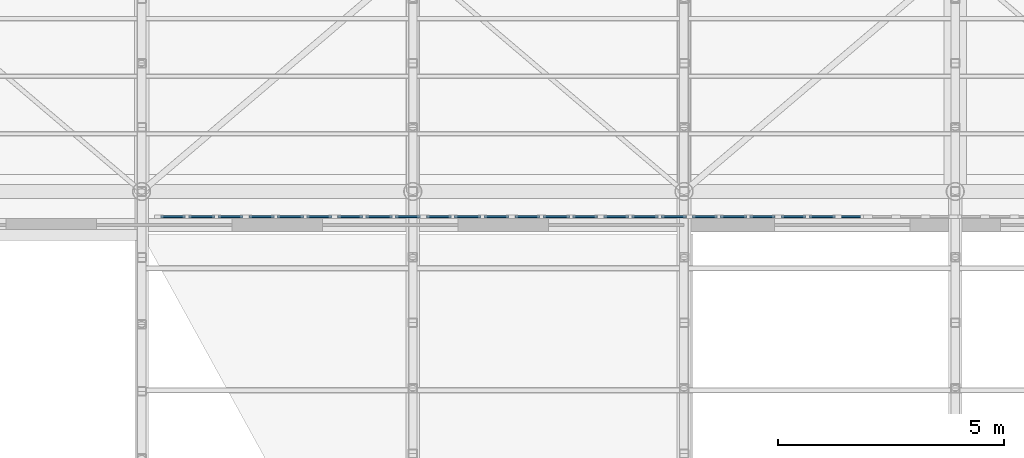
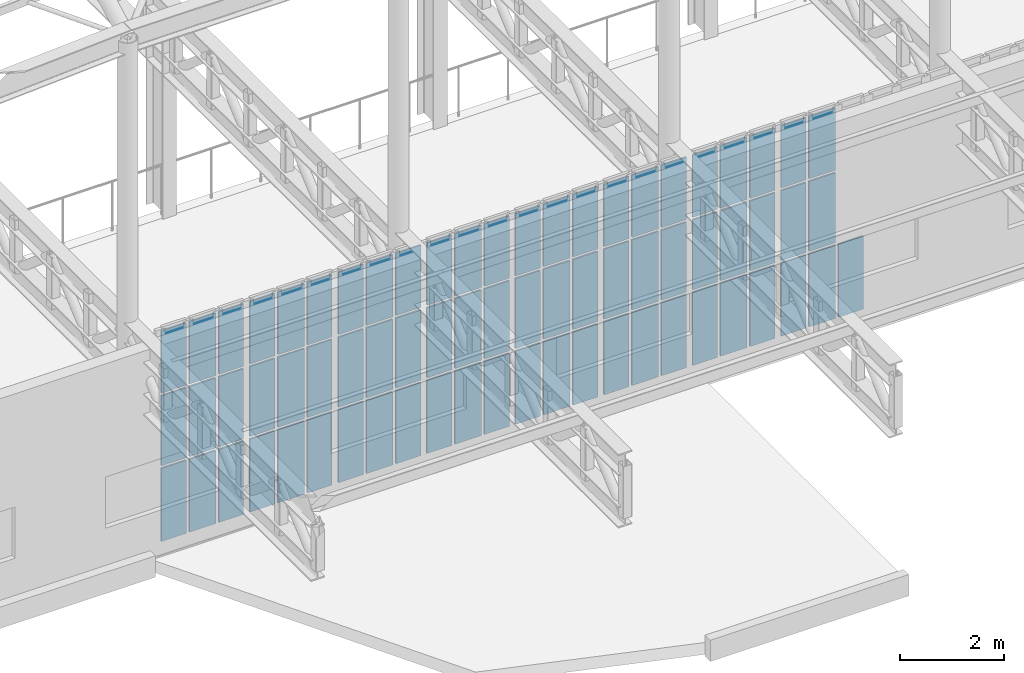
# One storey, part 54 of 75: 70 plates, 8 elements without a shape of their own.
"""IFC4 building model written with IfcOpenShell, lengths in metres."""

from ifc_helpers import new_model, si_unit, direction, frame, origin, origin_2d, place, context, subcontext, project, spatial, rectangle, extrude, material, layer, layer_set, type_object, element, aggregate, save


model = new_model("IFC4")

# Units and contexts
model_context = context("Model", 3, precision=1e-05, world=origin(), true_north=direction((0.0, 1.0)))
body_context = subcontext(model_context, "Body", "Model", "MODEL_VIEW")
ifc_project = project(units=[si_unit("LENGTHUNIT", "METRE"), si_unit("AREAUNIT", "SQUARE_METRE"), si_unit("VOLUMEUNIT", "CUBIC_METRE"), si_unit("PLANEANGLEUNIT", "RADIAN"), si_unit("MASSUNIT", "GRAM", prefix="KILO")], contexts=[model_context])

# Site, building, storey
site_placement = place(None, origin())
site = spatial("IfcSite", under=ifc_project, at=site_placement, CompositionType="ELEMENT")
building_placement = place(site_placement, origin())
building = spatial("IfcBuilding", under=site, at=building_placement, Name="Kolvaren Corner Interchange", CompositionType="ELEMENT")
storey_placement = place(building_placement, frame((0.0, 0.0, 10.5)))
storey = spatial("IfcBuildingStorey", under=building, at=storey_placement, Name="L03", CompositionType="ELEMENT", Elevation=10.5)

# Curtain wall, plates
ifc_material_1 = material(Name="Unitised Aluminium and Solar-Control Glass Curtain Wall", Category="aluminium")
curtain_wall_type = type_object("IfcCurtainWallType", Name="CW-V1-UPPER", PredefinedType="NOTDEFINED", material=ifc_material_1)
curtain_wall_1_placement = place(storey_placement, origin())
curtain_wall_1 = element("IfcCurtainWall", 1, at=curtain_wall_1_placement, inside=storey, type_object=curtain_wall_type, Name="South Portal Upper Curtain Wall Bay 01", PredefinedType="NOTDEFINED")
ifc_material_2 = material(Name="Low-E Solar-Control Laminated Glass", Category="glass")
ifc_layer = layer(ifc_material_2, 0.035888671875)
ifc_layer_set = layer_set([ifc_layer], Name="Low-E Solar-Control Laminated Glass")
plate_type = type_object("IfcPlateType", Name="PLT-CW-GL32", PredefinedType="CURTAIN_PANEL", material=ifc_layer_set)
plate_1_placement = place(storey_placement, frame((72.6943359375, 24.340087890625, 0.06005859375), z_axis=(0.0, 0.0, 1.0), x_axis=(1.0, 0.0, 0.0)))
plate_1 = element("IfcPlate", 2, at=plate_1_placement, type_object=plate_type, Name="CW-037 panel 1.1", PredefinedType="CURTAIN_PANEL", context=body_context, shape_type="SweptSolid", body=[
    extrude(rectangle(XDim=0.548583984375, YDim=0.035888671875, at=origin_2d()), origin(), (0.0, 0.0, 1.0), 1.7099609375),
])
plate_2_placement = place(storey_placement, frame((72.6943359375, 24.340087890625, 1.830078125), z_axis=(0.0, 0.0, 1.0), x_axis=(1.0, 0.0, 0.0)))
plate_2 = element("IfcPlate", 3, at=plate_2_placement, type_object=plate_type, Name="CW-037 panel 1.2", PredefinedType="CURTAIN_PANEL", context=body_context, shape_type="SweptSolid", body=[
    extrude(rectangle(XDim=0.548583984375, YDim=0.035888671875, at=origin_2d()), origin(), (0.0, 0.0, 1.0), 1.639892578125),
])
plate_3_placement = place(storey_placement, frame((72.6943359375, 24.340087890625, 3.530029296875), z_axis=(0.0, 0.0, 1.0), x_axis=(1.0, 0.0, 0.0)))
plate_3 = element("IfcPlate", 4, at=plate_3_placement, type_object=plate_type, Name="CW-037 panel 1.3", PredefinedType="CURTAIN_PANEL", context=body_context, shape_type="SweptSolid", body=[
    extrude(rectangle(XDim=0.548583984375, YDim=0.035888671875, at=origin_2d()), origin(), (0.0, 0.0, 1.0), 1.4599609375),
])
plate_4_placement = place(storey_placement, frame((73.33056640625, 24.340087890625, 0.06005859375), z_axis=(0.0, 0.0, 1.0), x_axis=(1.0, 0.0, 0.0)))
plate_4 = element("IfcPlate", 5, at=plate_4_placement, type_object=plate_type, Name="CW-037 panel 2.1", PredefinedType="CURTAIN_PANEL", context=body_context, shape_type="SweptSolid", body=[
    extrude(rectangle(XDim=0.583740234375, YDim=0.035888671875, at=origin_2d()), origin(), (0.0, 0.0, 1.0), 1.7099609375),
])
plate_5_placement = place(storey_placement, frame((73.33056640625, 24.340087890625, 1.830078125), z_axis=(0.0, 0.0, 1.0), x_axis=(1.0, 0.0, 0.0)))
plate_5 = element("IfcPlate", 6, at=plate_5_placement, type_object=plate_type, Name="CW-037 panel 2.2", PredefinedType="CURTAIN_PANEL", context=body_context, shape_type="SweptSolid", body=[
    extrude(rectangle(XDim=0.583740234375, YDim=0.035888671875, at=origin_2d()), origin(), (0.0, 0.0, 1.0), 1.639892578125),
])
plate_6_placement = place(storey_placement, frame((73.33056640625, 24.340087890625, 3.530029296875), z_axis=(0.0, 0.0, 1.0), x_axis=(1.0, 0.0, 0.0)))
plate_6 = element("IfcPlate", 7, at=plate_6_placement, type_object=plate_type, Name="CW-037 panel 2.3", PredefinedType="CURTAIN_PANEL", context=body_context, shape_type="SweptSolid", body=[
    extrude(rectangle(XDim=0.583740234375, YDim=0.035888671875, at=origin_2d()), origin(), (0.0, 0.0, 1.0), 1.4599609375),
])
plate_7_placement = place(storey_placement, frame((73.966796875, 24.340087890625, 0.06005859375), z_axis=(0.0, 0.0, 1.0), x_axis=(1.0, 0.0, 0.0)))
plate_7 = element("IfcPlate", 8, at=plate_7_placement, type_object=plate_type, Name="CW-037 panel 3.1", PredefinedType="CURTAIN_PANEL", context=body_context, shape_type="SweptSolid", body=[
    extrude(rectangle(XDim=0.548583984375, YDim=0.035888671875, at=origin_2d()), origin(), (0.0, 0.0, 1.0), 1.7099609375),
])
plate_8_placement = place(storey_placement, frame((73.966796875, 24.340087890625, 1.830078125), z_axis=(0.0, 0.0, 1.0), x_axis=(1.0, 0.0, 0.0)))
plate_8 = element("IfcPlate", 9, at=plate_8_placement, type_object=plate_type, Name="CW-037 panel 3.2", PredefinedType="CURTAIN_PANEL", context=body_context, shape_type="SweptSolid", body=[
    extrude(rectangle(XDim=0.548583984375, YDim=0.035888671875, at=origin_2d()), origin(), (0.0, 0.0, 1.0), 1.639892578125),
])
plate_9_placement = place(storey_placement, frame((73.966796875, 24.340087890625, 3.530029296875), z_axis=(0.0, 0.0, 1.0), x_axis=(1.0, 0.0, 0.0)))
plate_9 = element("IfcPlate", 10, at=plate_9_placement, type_object=plate_type, Name="CW-037 panel 3.3", PredefinedType="CURTAIN_PANEL", context=body_context, shape_type="SweptSolid", body=[
    extrude(rectangle(XDim=0.548583984375, YDim=0.035888671875, at=origin_2d()), origin(), (0.0, 0.0, 1.0), 1.4599609375),
])
aggregate(curtain_wall_1, [plate_1, plate_2, plate_3, plate_4, plate_5, plate_6, plate_7, plate_8, plate_9])

curtain_wall_2_placement = place(storey_placement, origin())
curtain_wall_2 = element("IfcCurtainWall", 11, at=curtain_wall_2_placement, inside=storey, type_object=curtain_wall_type, Name="South Portal Upper Curtain Wall Bay 02", PredefinedType="NOTDEFINED")
plate_10_placement = place(storey_placement, frame((74.655517578125, 24.340087890625, 0.06005859375), z_axis=(0.0, 0.0, 1.0), x_axis=(1.0, 0.0, 0.0)))
plate_10 = element("IfcPlate", 12, at=plate_10_placement, type_object=plate_type, Name="CW-038 panel 1.1", PredefinedType="CURTAIN_PANEL", context=body_context, shape_type="SweptSolid", body=[
    extrude(rectangle(XDim=0.548583984375, YDim=0.035888671875, at=origin_2d()), origin(), (0.0, 0.0, 1.0), 1.7099609375),
])
plate_11_placement = place(storey_placement, frame((74.655517578125, 24.340087890625, 1.830078125), z_axis=(0.0, 0.0, 1.0), x_axis=(1.0, 0.0, 0.0)))
plate_11 = element("IfcPlate", 13, at=plate_11_placement, type_object=plate_type, Name="CW-038 panel 1.2", PredefinedType="CURTAIN_PANEL", context=body_context, shape_type="SweptSolid", body=[
    extrude(rectangle(XDim=0.548583984375, YDim=0.035888671875, at=origin_2d()), origin(), (0.0, 0.0, 1.0), 1.639892578125),
])
plate_12_placement = place(storey_placement, frame((74.655517578125, 24.340087890625, 3.530029296875), z_axis=(0.0, 0.0, 1.0), x_axis=(1.0, 0.0, 0.0)))
plate_12 = element("IfcPlate", 14, at=plate_12_placement, type_object=plate_type, Name="CW-038 panel 1.3", PredefinedType="CURTAIN_PANEL", context=body_context, shape_type="SweptSolid", body=[
    extrude(rectangle(XDim=0.548583984375, YDim=0.035888671875, at=origin_2d()), origin(), (0.0, 0.0, 1.0), 1.4599609375),
])
plate_13_placement = place(storey_placement, frame((75.291748046875, 24.340087890625, 0.06005859375), z_axis=(0.0, 0.0, 1.0), x_axis=(1.0, 0.0, 0.0)))
plate_13 = element("IfcPlate", 15, at=plate_13_placement, type_object=plate_type, Name="CW-038 panel 2.1", PredefinedType="CURTAIN_PANEL", context=body_context, shape_type="SweptSolid", body=[
    extrude(rectangle(XDim=0.583740234375, YDim=0.035888671875, at=origin_2d()), origin(), (0.0, 0.0, 1.0), 1.7099609375),
])
plate_14_placement = place(storey_placement, frame((75.291748046875, 24.340087890625, 1.830078125), z_axis=(0.0, 0.0, 1.0), x_axis=(1.0, 0.0, 0.0)))
plate_14 = element("IfcPlate", 16, at=plate_14_placement, type_object=plate_type, Name="CW-038 panel 2.2", PredefinedType="CURTAIN_PANEL", context=body_context, shape_type="SweptSolid", body=[
    extrude(rectangle(XDim=0.583740234375, YDim=0.035888671875, at=origin_2d()), origin(), (0.0, 0.0, 1.0), 1.639892578125),
])
plate_15_placement = place(storey_placement, frame((75.291748046875, 24.340087890625, 3.530029296875), z_axis=(0.0, 0.0, 1.0), x_axis=(1.0, 0.0, 0.0)))
plate_15 = element("IfcPlate", 17, at=plate_15_placement, type_object=plate_type, Name="CW-038 panel 2.3", PredefinedType="CURTAIN_PANEL", context=body_context, shape_type="SweptSolid", body=[
    extrude(rectangle(XDim=0.583740234375, YDim=0.035888671875, at=origin_2d()), origin(), (0.0, 0.0, 1.0), 1.4599609375),
])
plate_16_placement = place(storey_placement, frame((75.927734375, 24.340087890625, 0.06005859375), z_axis=(0.0, 0.0, 1.0), x_axis=(1.0, 0.0, 0.0)))
plate_16 = element("IfcPlate", 18, at=plate_16_placement, type_object=plate_type, Name="CW-038 panel 3.1", PredefinedType="CURTAIN_PANEL", context=body_context, shape_type="SweptSolid", body=[
    extrude(rectangle(XDim=0.548583984375, YDim=0.035888671875, at=origin_2d()), origin(), (0.0, 0.0, 1.0), 1.7099609375),
])
plate_17_placement = place(storey_placement, frame((75.927734375, 24.340087890625, 1.830078125), z_axis=(0.0, 0.0, 1.0), x_axis=(1.0, 0.0, 0.0)))
plate_17 = element("IfcPlate", 19, at=plate_17_placement, type_object=plate_type, Name="CW-038 panel 3.2", PredefinedType="CURTAIN_PANEL", context=body_context, shape_type="SweptSolid", body=[
    extrude(rectangle(XDim=0.548583984375, YDim=0.035888671875, at=origin_2d()), origin(), (0.0, 0.0, 1.0), 1.639892578125),
])
plate_18_placement = place(storey_placement, frame((75.927734375, 24.340087890625, 3.530029296875), z_axis=(0.0, 0.0, 1.0), x_axis=(1.0, 0.0, 0.0)))
plate_18 = element("IfcPlate", 20, at=plate_18_placement, type_object=plate_type, Name="CW-038 panel 3.3", PredefinedType="CURTAIN_PANEL", context=body_context, shape_type="SweptSolid", body=[
    extrude(rectangle(XDim=0.548583984375, YDim=0.035888671875, at=origin_2d()), origin(), (0.0, 0.0, 1.0), 1.4599609375),
])
aggregate(curtain_wall_2, [plate_10, plate_11, plate_12, plate_13, plate_14, plate_15, plate_16, plate_17, plate_18])

curtain_wall_3_placement = place(storey_placement, origin())
curtain_wall_3 = element("IfcCurtainWall", 21, at=curtain_wall_3_placement, inside=storey, type_object=curtain_wall_type, Name="South Portal Upper Curtain Wall Bay 03", PredefinedType="NOTDEFINED")
plate_19_placement = place(storey_placement, frame((76.616455078125, 24.340087890625, 0.06005859375), z_axis=(0.0, 0.0, 1.0), x_axis=(1.0, 0.0, 0.0)))
plate_19 = element("IfcPlate", 22, at=plate_19_placement, type_object=plate_type, Name="CW-039 panel 1.1", PredefinedType="CURTAIN_PANEL", context=body_context, shape_type="SweptSolid", body=[
    extrude(rectangle(XDim=0.548583984375, YDim=0.035888671875, at=origin_2d()), origin(), (0.0, 0.0, 1.0), 1.7099609375),
])
plate_20_placement = place(storey_placement, frame((76.616455078125, 24.340087890625, 1.830078125), z_axis=(0.0, 0.0, 1.0), x_axis=(1.0, 0.0, 0.0)))
plate_20 = element("IfcPlate", 23, at=plate_20_placement, type_object=plate_type, Name="CW-039 panel 1.2", PredefinedType="CURTAIN_PANEL", context=body_context, shape_type="SweptSolid", body=[
    extrude(rectangle(XDim=0.548583984375, YDim=0.035888671875, at=origin_2d()), origin(), (0.0, 0.0, 1.0), 1.639892578125),
])
plate_21_placement = place(storey_placement, frame((76.616455078125, 24.340087890625, 3.530029296875), z_axis=(0.0, 0.0, 1.0), x_axis=(1.0, 0.0, 0.0)))
plate_21 = element("IfcPlate", 24, at=plate_21_placement, type_object=plate_type, Name="CW-039 panel 1.3", PredefinedType="CURTAIN_PANEL", context=body_context, shape_type="SweptSolid", body=[
    extrude(rectangle(XDim=0.548583984375, YDim=0.035888671875, at=origin_2d()), origin(), (0.0, 0.0, 1.0), 1.4599609375),
])
plate_22_placement = place(storey_placement, frame((77.252685546875, 24.340087890625, 0.06005859375), z_axis=(0.0, 0.0, 1.0), x_axis=(1.0, 0.0, 0.0)))
plate_22 = element("IfcPlate", 25, at=plate_22_placement, type_object=plate_type, Name="CW-039 panel 2.1", PredefinedType="CURTAIN_PANEL", context=body_context, shape_type="SweptSolid", body=[
    extrude(rectangle(XDim=0.583740234375, YDim=0.035888671875, at=origin_2d()), origin(), (0.0, 0.0, 1.0), 1.7099609375),
])
plate_23_placement = place(storey_placement, frame((77.252685546875, 24.340087890625, 1.830078125), z_axis=(0.0, 0.0, 1.0), x_axis=(1.0, 0.0, 0.0)))
plate_23 = element("IfcPlate", 26, at=plate_23_placement, type_object=plate_type, Name="CW-039 panel 2.2", PredefinedType="CURTAIN_PANEL", context=body_context, shape_type="SweptSolid", body=[
    extrude(rectangle(XDim=0.583740234375, YDim=0.035888671875, at=origin_2d()), origin(), (0.0, 0.0, 1.0), 1.639892578125),
])
plate_24_placement = place(storey_placement, frame((77.252685546875, 24.340087890625, 3.530029296875), z_axis=(0.0, 0.0, 1.0), x_axis=(1.0, 0.0, 0.0)))
plate_24 = element("IfcPlate", 27, at=plate_24_placement, type_object=plate_type, Name="CW-039 panel 2.3", PredefinedType="CURTAIN_PANEL", context=body_context, shape_type="SweptSolid", body=[
    extrude(rectangle(XDim=0.583740234375, YDim=0.035888671875, at=origin_2d()), origin(), (0.0, 0.0, 1.0), 1.4599609375),
])
plate_25_placement = place(storey_placement, frame((77.888916015625, 24.340087890625, 0.06005859375), z_axis=(0.0, 0.0, 1.0), x_axis=(1.0, 0.0, 0.0)))
plate_25 = element("IfcPlate", 28, at=plate_25_placement, type_object=plate_type, Name="CW-039 panel 3.1", PredefinedType="CURTAIN_PANEL", context=body_context, shape_type="SweptSolid", body=[
    extrude(rectangle(XDim=0.548583984375, YDim=0.035888671875, at=origin_2d()), origin(), (0.0, 0.0, 1.0), 1.7099609375),
])
plate_26_placement = place(storey_placement, frame((77.888916015625, 24.340087890625, 1.830078125), z_axis=(0.0, 0.0, 1.0), x_axis=(1.0, 0.0, 0.0)))
plate_26 = element("IfcPlate", 29, at=plate_26_placement, type_object=plate_type, Name="CW-039 panel 3.2", PredefinedType="CURTAIN_PANEL", context=body_context, shape_type="SweptSolid", body=[
    extrude(rectangle(XDim=0.548583984375, YDim=0.035888671875, at=origin_2d()), origin(), (0.0, 0.0, 1.0), 1.639892578125),
])
plate_27_placement = place(storey_placement, frame((77.888916015625, 24.340087890625, 3.530029296875), z_axis=(0.0, 0.0, 1.0), x_axis=(1.0, 0.0, 0.0)))
plate_27 = element("IfcPlate", 30, at=plate_27_placement, type_object=plate_type, Name="CW-039 panel 3.3", PredefinedType="CURTAIN_PANEL", context=body_context, shape_type="SweptSolid", body=[
    extrude(rectangle(XDim=0.548583984375, YDim=0.035888671875, at=origin_2d()), origin(), (0.0, 0.0, 1.0), 1.4599609375),
])
aggregate(curtain_wall_3, [plate_19, plate_20, plate_21, plate_22, plate_23, plate_24, plate_25, plate_26, plate_27])

curtain_wall_4_placement = place(storey_placement, origin())
curtain_wall_4 = element("IfcCurtainWall", 31, at=curtain_wall_4_placement, inside=storey, type_object=curtain_wall_type, Name="South Portal Upper Curtain Wall Bay 04", PredefinedType="NOTDEFINED")
plate_28_placement = place(storey_placement, frame((78.57763671875, 24.340087890625, 0.06005859375), z_axis=(0.0, 0.0, 1.0), x_axis=(1.0, 0.0, 0.0)))
plate_28 = element("IfcPlate", 32, at=plate_28_placement, type_object=plate_type, Name="CW-040 panel 1.1", PredefinedType="CURTAIN_PANEL", context=body_context, shape_type="SweptSolid", body=[
    extrude(rectangle(XDim=0.548583984375, YDim=0.035888671875, at=origin_2d()), origin(), (0.0, 0.0, 1.0), 1.7099609375),
])
plate_29_placement = place(storey_placement, frame((78.57763671875, 24.340087890625, 1.830078125), z_axis=(0.0, 0.0, 1.0), x_axis=(1.0, 0.0, 0.0)))
plate_29 = element("IfcPlate", 33, at=plate_29_placement, type_object=plate_type, Name="CW-040 panel 1.2", PredefinedType="CURTAIN_PANEL", context=body_context, shape_type="SweptSolid", body=[
    extrude(rectangle(XDim=0.548583984375, YDim=0.035888671875, at=origin_2d()), origin(), (0.0, 0.0, 1.0), 1.639892578125),
])
plate_30_placement = place(storey_placement, frame((78.57763671875, 24.340087890625, 3.530029296875), z_axis=(0.0, 0.0, 1.0), x_axis=(1.0, 0.0, 0.0)))
plate_30 = element("IfcPlate", 34, at=plate_30_placement, type_object=plate_type, Name="CW-040 panel 1.3", PredefinedType="CURTAIN_PANEL", context=body_context, shape_type="SweptSolid", body=[
    extrude(rectangle(XDim=0.548583984375, YDim=0.035888671875, at=origin_2d()), origin(), (0.0, 0.0, 1.0), 1.4599609375),
])
plate_31_placement = place(storey_placement, frame((79.2138671875, 24.340087890625, 0.06005859375), z_axis=(0.0, 0.0, 1.0), x_axis=(1.0, 0.0, 0.0)))
plate_31 = element("IfcPlate", 35, at=plate_31_placement, type_object=plate_type, Name="CW-040 panel 2.1", PredefinedType="CURTAIN_PANEL", context=body_context, shape_type="SweptSolid", body=[
    extrude(rectangle(XDim=0.583740234375, YDim=0.035888671875, at=origin_2d()), origin(), (0.0, 0.0, 1.0), 1.7099609375),
])
plate_32_placement = place(storey_placement, frame((79.2138671875, 24.340087890625, 1.830078125), z_axis=(0.0, 0.0, 1.0), x_axis=(1.0, 0.0, 0.0)))
plate_32 = element("IfcPlate", 36, at=plate_32_placement, type_object=plate_type, Name="CW-040 panel 2.2", PredefinedType="CURTAIN_PANEL", context=body_context, shape_type="SweptSolid", body=[
    extrude(rectangle(XDim=0.583740234375, YDim=0.035888671875, at=origin_2d()), origin(), (0.0, 0.0, 1.0), 1.639892578125),
])
plate_33_placement = place(storey_placement, frame((79.2138671875, 24.340087890625, 3.530029296875), z_axis=(0.0, 0.0, 1.0), x_axis=(1.0, 0.0, 0.0)))
plate_33 = element("IfcPlate", 37, at=plate_33_placement, type_object=plate_type, Name="CW-040 panel 2.3", PredefinedType="CURTAIN_PANEL", context=body_context, shape_type="SweptSolid", body=[
    extrude(rectangle(XDim=0.583740234375, YDim=0.035888671875, at=origin_2d()), origin(), (0.0, 0.0, 1.0), 1.4599609375),
])
plate_34_placement = place(storey_placement, frame((79.85009765625, 24.340087890625, 0.06005859375), z_axis=(0.0, 0.0, 1.0), x_axis=(1.0, 0.0, 0.0)))
plate_34 = element("IfcPlate", 38, at=plate_34_placement, type_object=plate_type, Name="CW-040 panel 3.1", PredefinedType="CURTAIN_PANEL", context=body_context, shape_type="SweptSolid", body=[
    extrude(rectangle(XDim=0.548583984375, YDim=0.035888671875, at=origin_2d()), origin(), (0.0, 0.0, 1.0), 1.7099609375),
])
plate_35_placement = place(storey_placement, frame((79.85009765625, 24.340087890625, 1.830078125), z_axis=(0.0, 0.0, 1.0), x_axis=(1.0, 0.0, 0.0)))
plate_35 = element("IfcPlate", 39, at=plate_35_placement, type_object=plate_type, Name="CW-040 panel 3.2", PredefinedType="CURTAIN_PANEL", context=body_context, shape_type="SweptSolid", body=[
    extrude(rectangle(XDim=0.548583984375, YDim=0.035888671875, at=origin_2d()), origin(), (0.0, 0.0, 1.0), 1.639892578125),
])
plate_36_placement = place(storey_placement, frame((79.85009765625, 24.340087890625, 3.530029296875), z_axis=(0.0, 0.0, 1.0), x_axis=(1.0, 0.0, 0.0)))
plate_36 = element("IfcPlate", 40, at=plate_36_placement, type_object=plate_type, Name="CW-040 panel 3.3", PredefinedType="CURTAIN_PANEL", context=body_context, shape_type="SweptSolid", body=[
    extrude(rectangle(XDim=0.548583984375, YDim=0.035888671875, at=origin_2d()), origin(), (0.0, 0.0, 1.0), 1.4599609375),
])
aggregate(curtain_wall_4, [plate_28, plate_29, plate_30, plate_31, plate_32, plate_33, plate_34, plate_35, plate_36])

curtain_wall_5_placement = place(storey_placement, origin())
curtain_wall_5 = element("IfcCurtainWall", 41, at=curtain_wall_5_placement, inside=storey, type_object=curtain_wall_type, Name="South Portal Upper Curtain Wall Bay 05", PredefinedType="NOTDEFINED")
plate_37_placement = place(storey_placement, frame((80.538818359375, 24.340087890625, 0.06005859375), z_axis=(0.0, 0.0, 1.0), x_axis=(1.0, 0.0, 0.0)))
plate_37 = element("IfcPlate", 42, at=plate_37_placement, type_object=plate_type, Name="CW-041 panel 1.1", PredefinedType="CURTAIN_PANEL", context=body_context, shape_type="SweptSolid", body=[
    extrude(rectangle(XDim=0.548828125, YDim=0.035888671875, at=origin_2d()), origin(), (0.0, 0.0, 1.0), 1.7099609375),
])
plate_38_placement = place(storey_placement, frame((80.538818359375, 24.340087890625, 1.830078125), z_axis=(0.0, 0.0, 1.0), x_axis=(1.0, 0.0, 0.0)))
plate_38 = element("IfcPlate", 43, at=plate_38_placement, type_object=plate_type, Name="CW-041 panel 1.2", PredefinedType="CURTAIN_PANEL", context=body_context, shape_type="SweptSolid", body=[
    extrude(rectangle(XDim=0.548828125, YDim=0.035888671875, at=origin_2d()), origin(), (0.0, 0.0, 1.0), 1.639892578125),
])
plate_39_placement = place(storey_placement, frame((80.538818359375, 24.340087890625, 3.530029296875), z_axis=(0.0, 0.0, 1.0), x_axis=(1.0, 0.0, 0.0)))
plate_39 = element("IfcPlate", 44, at=plate_39_placement, type_object=plate_type, Name="CW-041 panel 1.3", PredefinedType="CURTAIN_PANEL", context=body_context, shape_type="SweptSolid", body=[
    extrude(rectangle(XDim=0.548828125, YDim=0.035888671875, at=origin_2d()), origin(), (0.0, 0.0, 1.0), 1.4599609375),
])
plate_40_placement = place(storey_placement, frame((81.175048828125, 24.340087890625, 0.06005859375), z_axis=(0.0, 0.0, 1.0), x_axis=(1.0, 0.0, 0.0)))
plate_40 = element("IfcPlate", 45, at=plate_40_placement, type_object=plate_type, Name="CW-041 panel 2.1", PredefinedType="CURTAIN_PANEL", context=body_context, shape_type="SweptSolid", body=[
    extrude(rectangle(XDim=0.583740234375, YDim=0.035888671875, at=origin_2d()), origin(), (0.0, 0.0, 1.0), 1.7099609375),
])
plate_41_placement = place(storey_placement, frame((81.175048828125, 24.340087890625, 1.830078125), z_axis=(0.0, 0.0, 1.0), x_axis=(1.0, 0.0, 0.0)))
plate_41 = element("IfcPlate", 46, at=plate_41_placement, type_object=plate_type, Name="CW-041 panel 2.2", PredefinedType="CURTAIN_PANEL", context=body_context, shape_type="SweptSolid", body=[
    extrude(rectangle(XDim=0.583740234375, YDim=0.035888671875, at=origin_2d()), origin(), (0.0, 0.0, 1.0), 1.639892578125),
])
plate_42_placement = place(storey_placement, frame((81.175048828125, 24.340087890625, 3.530029296875), z_axis=(0.0, 0.0, 1.0), x_axis=(1.0, 0.0, 0.0)))
plate_42 = element("IfcPlate", 47, at=plate_42_placement, type_object=plate_type, Name="CW-041 panel 2.3", PredefinedType="CURTAIN_PANEL", context=body_context, shape_type="SweptSolid", body=[
    extrude(rectangle(XDim=0.583740234375, YDim=0.035888671875, at=origin_2d()), origin(), (0.0, 0.0, 1.0), 1.4599609375),
])
plate_43_placement = place(storey_placement, frame((81.811279296875, 24.340087890625, 0.06005859375), z_axis=(0.0, 0.0, 1.0), x_axis=(1.0, 0.0, 0.0)))
plate_43 = element("IfcPlate", 48, at=plate_43_placement, type_object=plate_type, Name="CW-041 panel 3.1", PredefinedType="CURTAIN_PANEL", context=body_context, shape_type="SweptSolid", body=[
    extrude(rectangle(XDim=0.548828125, YDim=0.035888671875, at=origin_2d()), origin(), (0.0, 0.0, 1.0), 1.7099609375),
])
plate_44_placement = place(storey_placement, frame((81.811279296875, 24.340087890625, 1.830078125), z_axis=(0.0, 0.0, 1.0), x_axis=(1.0, 0.0, 0.0)))
plate_44 = element("IfcPlate", 49, at=plate_44_placement, type_object=plate_type, Name="CW-041 panel 3.2", PredefinedType="CURTAIN_PANEL", context=body_context, shape_type="SweptSolid", body=[
    extrude(rectangle(XDim=0.548828125, YDim=0.035888671875, at=origin_2d()), origin(), (0.0, 0.0, 1.0), 1.639892578125),
])
plate_45_placement = place(storey_placement, frame((81.811279296875, 24.340087890625, 3.530029296875), z_axis=(0.0, 0.0, 1.0), x_axis=(1.0, 0.0, 0.0)))
plate_45 = element("IfcPlate", 50, at=plate_45_placement, type_object=plate_type, Name="CW-041 panel 3.3", PredefinedType="CURTAIN_PANEL", context=body_context, shape_type="SweptSolid", body=[
    extrude(rectangle(XDim=0.548828125, YDim=0.035888671875, at=origin_2d()), origin(), (0.0, 0.0, 1.0), 1.4599609375),
])
aggregate(curtain_wall_5, [plate_37, plate_38, plate_39, plate_40, plate_41, plate_42, plate_43, plate_44, plate_45])

curtain_wall_6_placement = place(storey_placement, origin())
curtain_wall_6 = element("IfcCurtainWall", 51, at=curtain_wall_6_placement, inside=storey, type_object=curtain_wall_type, Name="South Portal Upper Curtain Wall Bay 06", PredefinedType="NOTDEFINED")
plate_46_placement = place(storey_placement, frame((82.5, 24.340087890625, 0.06005859375), z_axis=(0.0, 0.0, 1.0), x_axis=(1.0, 0.0, 0.0)))
plate_46 = element("IfcPlate", 52, at=plate_46_placement, type_object=plate_type, Name="CW-042 panel 1.1", PredefinedType="CURTAIN_PANEL", context=body_context, shape_type="SweptSolid", body=[
    extrude(rectangle(XDim=0.548583984375, YDim=0.035888671875, at=origin_2d()), origin(), (0.0, 0.0, 1.0), 1.7099609375),
])
plate_47_placement = place(storey_placement, frame((82.5, 24.340087890625, 1.830078125), z_axis=(0.0, 0.0, 1.0), x_axis=(1.0, 0.0, 0.0)))
plate_47 = element("IfcPlate", 53, at=plate_47_placement, type_object=plate_type, Name="CW-042 panel 1.2", PredefinedType="CURTAIN_PANEL", context=body_context, shape_type="SweptSolid", body=[
    extrude(rectangle(XDim=0.548583984375, YDim=0.035888671875, at=origin_2d()), origin(), (0.0, 0.0, 1.0), 1.639892578125),
])
plate_48_placement = place(storey_placement, frame((82.5, 24.340087890625, 3.530029296875), z_axis=(0.0, 0.0, 1.0), x_axis=(1.0, 0.0, 0.0)))
plate_48 = element("IfcPlate", 54, at=plate_48_placement, type_object=plate_type, Name="CW-042 panel 1.3", PredefinedType="CURTAIN_PANEL", context=body_context, shape_type="SweptSolid", body=[
    extrude(rectangle(XDim=0.548583984375, YDim=0.035888671875, at=origin_2d()), origin(), (0.0, 0.0, 1.0), 1.4599609375),
])
plate_49_placement = place(storey_placement, frame((83.13623046875, 24.340087890625, 0.06005859375), z_axis=(0.0, 0.0, 1.0), x_axis=(1.0, 0.0, 0.0)))
plate_49 = element("IfcPlate", 55, at=plate_49_placement, type_object=plate_type, Name="CW-042 panel 2.1", PredefinedType="CURTAIN_PANEL", context=body_context, shape_type="SweptSolid", body=[
    extrude(rectangle(XDim=0.583740234375, YDim=0.035888671875, at=origin_2d()), origin(), (0.0, 0.0, 1.0), 1.7099609375),
])
plate_50_placement = place(storey_placement, frame((83.13623046875, 24.340087890625, 1.830078125), z_axis=(0.0, 0.0, 1.0), x_axis=(1.0, 0.0, 0.0)))
plate_50 = element("IfcPlate", 56, at=plate_50_placement, type_object=plate_type, Name="CW-042 panel 2.2", PredefinedType="CURTAIN_PANEL", context=body_context, shape_type="SweptSolid", body=[
    extrude(rectangle(XDim=0.583740234375, YDim=0.035888671875, at=origin_2d()), origin(), (0.0, 0.0, 1.0), 1.639892578125),
])
plate_51_placement = place(storey_placement, frame((83.13623046875, 24.340087890625, 3.530029296875), z_axis=(0.0, 0.0, 1.0), x_axis=(1.0, 0.0, 0.0)))
plate_51 = element("IfcPlate", 57, at=plate_51_placement, type_object=plate_type, Name="CW-042 panel 2.3", PredefinedType="CURTAIN_PANEL", context=body_context, shape_type="SweptSolid", body=[
    extrude(rectangle(XDim=0.583740234375, YDim=0.035888671875, at=origin_2d()), origin(), (0.0, 0.0, 1.0), 1.4599609375),
])
plate_52_placement = place(storey_placement, frame((83.7724609375, 24.340087890625, 0.06005859375), z_axis=(0.0, 0.0, 1.0), x_axis=(1.0, 0.0, 0.0)))
plate_52 = element("IfcPlate", 58, at=plate_52_placement, type_object=plate_type, Name="CW-042 panel 3.1", PredefinedType="CURTAIN_PANEL", context=body_context, shape_type="SweptSolid", body=[
    extrude(rectangle(XDim=0.548583984375, YDim=0.035888671875, at=origin_2d()), origin(), (0.0, 0.0, 1.0), 1.7099609375),
])
plate_53_placement = place(storey_placement, frame((83.7724609375, 24.340087890625, 1.830078125), z_axis=(0.0, 0.0, 1.0), x_axis=(1.0, 0.0, 0.0)))
plate_53 = element("IfcPlate", 59, at=plate_53_placement, type_object=plate_type, Name="CW-042 panel 3.2", PredefinedType="CURTAIN_PANEL", context=body_context, shape_type="SweptSolid", body=[
    extrude(rectangle(XDim=0.548583984375, YDim=0.035888671875, at=origin_2d()), origin(), (0.0, 0.0, 1.0), 1.639892578125),
])
plate_54_placement = place(storey_placement, frame((83.7724609375, 24.340087890625, 3.530029296875), z_axis=(0.0, 0.0, 1.0), x_axis=(1.0, 0.0, 0.0)))
plate_54 = element("IfcPlate", 60, at=plate_54_placement, type_object=plate_type, Name="CW-042 panel 3.3", PredefinedType="CURTAIN_PANEL", context=body_context, shape_type="SweptSolid", body=[
    extrude(rectangle(XDim=0.548583984375, YDim=0.035888671875, at=origin_2d()), origin(), (0.0, 0.0, 1.0), 1.4599609375),
])
aggregate(curtain_wall_6, [plate_46, plate_47, plate_48, plate_49, plate_50, plate_51, plate_52, plate_53, plate_54])

curtain_wall_7_placement = place(storey_placement, origin())
curtain_wall_7 = element("IfcCurtainWall", 61, at=curtain_wall_7_placement, inside=storey, type_object=curtain_wall_type, Name="South Portal Upper Curtain Wall Bay 07", PredefinedType="NOTDEFINED")
plate_55_placement = place(storey_placement, frame((84.4609375, 24.340087890625, 0.06005859375), z_axis=(0.0, 0.0, 1.0), x_axis=(1.0, 0.0, 0.0)))
plate_55 = element("IfcPlate", 62, at=plate_55_placement, type_object=plate_type, Name="CW-043 panel 1.1", PredefinedType="CURTAIN_PANEL", context=body_context, shape_type="SweptSolid", body=[
    extrude(rectangle(XDim=0.548583984375, YDim=0.035888671875, at=origin_2d()), origin(), (0.0, 0.0, 1.0), 1.7099609375),
])
plate_56_placement = place(storey_placement, frame((84.4609375, 24.340087890625, 1.830078125), z_axis=(0.0, 0.0, 1.0), x_axis=(1.0, 0.0, 0.0)))
plate_56 = element("IfcPlate", 63, at=plate_56_placement, type_object=plate_type, Name="CW-043 panel 1.2", PredefinedType="CURTAIN_PANEL", context=body_context, shape_type="SweptSolid", body=[
    extrude(rectangle(XDim=0.548583984375, YDim=0.035888671875, at=origin_2d()), origin(), (0.0, 0.0, 1.0), 1.639892578125),
])
plate_57_placement = place(storey_placement, frame((84.4609375, 24.340087890625, 3.530029296875), z_axis=(0.0, 0.0, 1.0), x_axis=(1.0, 0.0, 0.0)))
plate_57 = element("IfcPlate", 64, at=plate_57_placement, type_object=plate_type, Name="CW-043 panel 1.3", PredefinedType="CURTAIN_PANEL", context=body_context, shape_type="SweptSolid", body=[
    extrude(rectangle(XDim=0.548583984375, YDim=0.035888671875, at=origin_2d()), origin(), (0.0, 0.0, 1.0), 1.4599609375),
])
plate_58_placement = place(storey_placement, frame((85.09716796875, 24.340087890625, 0.06005859375), z_axis=(0.0, 0.0, 1.0), x_axis=(1.0, 0.0, 0.0)))
plate_58 = element("IfcPlate", 65, at=plate_58_placement, type_object=plate_type, Name="CW-043 panel 2.1", PredefinedType="CURTAIN_PANEL", context=body_context, shape_type="SweptSolid", body=[
    extrude(rectangle(XDim=0.583740234375, YDim=0.035888671875, at=origin_2d()), origin(), (0.0, 0.0, 1.0), 1.7099609375),
])
plate_59_placement = place(storey_placement, frame((85.09716796875, 24.340087890625, 1.830078125), z_axis=(0.0, 0.0, 1.0), x_axis=(1.0, 0.0, 0.0)))
plate_59 = element("IfcPlate", 66, at=plate_59_placement, type_object=plate_type, Name="CW-043 panel 2.2", PredefinedType="CURTAIN_PANEL", context=body_context, shape_type="SweptSolid", body=[
    extrude(rectangle(XDim=0.583740234375, YDim=0.035888671875, at=origin_2d()), origin(), (0.0, 0.0, 1.0), 1.639892578125),
])
plate_60_placement = place(storey_placement, frame((85.09716796875, 24.340087890625, 3.530029296875), z_axis=(0.0, 0.0, 1.0), x_axis=(1.0, 0.0, 0.0)))
plate_60 = element("IfcPlate", 67, at=plate_60_placement, type_object=plate_type, Name="CW-043 panel 2.3", PredefinedType="CURTAIN_PANEL", context=body_context, shape_type="SweptSolid", body=[
    extrude(rectangle(XDim=0.583740234375, YDim=0.035888671875, at=origin_2d()), origin(), (0.0, 0.0, 1.0), 1.4599609375),
])
plate_61_placement = place(storey_placement, frame((85.7333984375, 24.340087890625, 0.06005859375), z_axis=(0.0, 0.0, 1.0), x_axis=(1.0, 0.0, 0.0)))
plate_61 = element("IfcPlate", 68, at=plate_61_placement, type_object=plate_type, Name="CW-043 panel 3.1", PredefinedType="CURTAIN_PANEL", context=body_context, shape_type="SweptSolid", body=[
    extrude(rectangle(XDim=0.548583984375, YDim=0.035888671875, at=origin_2d()), origin(), (0.0, 0.0, 1.0), 1.7099609375),
])
plate_62_placement = place(storey_placement, frame((85.7333984375, 24.340087890625, 1.830078125), z_axis=(0.0, 0.0, 1.0), x_axis=(1.0, 0.0, 0.0)))
plate_62 = element("IfcPlate", 69, at=plate_62_placement, type_object=plate_type, Name="CW-043 panel 3.2", PredefinedType="CURTAIN_PANEL", context=body_context, shape_type="SweptSolid", body=[
    extrude(rectangle(XDim=0.548583984375, YDim=0.035888671875, at=origin_2d()), origin(), (0.0, 0.0, 1.0), 1.639892578125),
])
plate_63_placement = place(storey_placement, frame((85.7333984375, 24.340087890625, 3.530029296875), z_axis=(0.0, 0.0, 1.0), x_axis=(1.0, 0.0, 0.0)))
plate_63 = element("IfcPlate", 70, at=plate_63_placement, type_object=plate_type, Name="CW-043 panel 3.3", PredefinedType="CURTAIN_PANEL", context=body_context, shape_type="SweptSolid", body=[
    extrude(rectangle(XDim=0.548583984375, YDim=0.035888671875, at=origin_2d()), origin(), (0.0, 0.0, 1.0), 1.4599609375),
])
aggregate(curtain_wall_7, [plate_55, plate_56, plate_57, plate_58, plate_59, plate_60, plate_61, plate_62, plate_63])

curtain_wall_8_placement = place(storey_placement, origin())
curtain_wall_8 = element("IfcCurtainWall", 71, at=curtain_wall_8_placement, inside=storey, type_object=curtain_wall_type, Name="South Portal Upper Curtain Wall Bay 08", PredefinedType="NOTDEFINED")
plate_64_placement = place(storey_placement, frame((86.422119140625, 24.340087890625, 0.06005859375), z_axis=(0.0, 0.0, 1.0), x_axis=(1.0, 0.0, 0.0)))
plate_64 = element("IfcPlate", 72, at=plate_64_placement, type_object=plate_type, Name="CW-044 panel 1.1", PredefinedType="CURTAIN_PANEL", context=body_context, shape_type="SweptSolid", body=[
    extrude(rectangle(XDim=0.548583984375, YDim=0.035888671875, at=origin_2d()), origin(), (0.0, 0.0, 1.0), 1.7099609375),
])
plate_65_placement = place(storey_placement, frame((86.422119140625, 24.340087890625, 1.830078125), z_axis=(0.0, 0.0, 1.0), x_axis=(1.0, 0.0, 0.0)))
plate_65 = element("IfcPlate", 73, at=plate_65_placement, type_object=plate_type, Name="CW-044 panel 1.2", PredefinedType="CURTAIN_PANEL", context=body_context, shape_type="SweptSolid", body=[
    extrude(rectangle(XDim=0.548583984375, YDim=0.035888671875, at=origin_2d()), origin(), (0.0, 0.0, 1.0), 1.639892578125),
])
plate_66_placement = place(storey_placement, frame((86.422119140625, 24.340087890625, 3.530029296875), z_axis=(0.0, 0.0, 1.0), x_axis=(1.0, 0.0, 0.0)))
plate_66 = element("IfcPlate", 74, at=plate_66_placement, type_object=plate_type, Name="CW-044 panel 1.3", PredefinedType="CURTAIN_PANEL", context=body_context, shape_type="SweptSolid", body=[
    extrude(rectangle(XDim=0.548583984375, YDim=0.035888671875, at=origin_2d()), origin(), (0.0, 0.0, 1.0), 1.4599609375),
])
plate_67_placement = place(storey_placement, frame((87.058349609375, 24.340087890625, 0.06005859375), z_axis=(0.0, 0.0, 1.0), x_axis=(1.0, 0.0, 0.0)))
plate_67 = element("IfcPlate", 75, at=plate_67_placement, type_object=plate_type, Name="CW-044 panel 2.1", PredefinedType="CURTAIN_PANEL", context=body_context, shape_type="SweptSolid", body=[
    extrude(rectangle(XDim=0.583740234375, YDim=0.035888671875, at=origin_2d()), origin(), (0.0, 0.0, 1.0), 1.7099609375),
])
plate_68_placement = place(storey_placement, frame((87.058349609375, 24.340087890625, 1.830078125), z_axis=(0.0, 0.0, 1.0), x_axis=(1.0, 0.0, 0.0)))
plate_68 = element("IfcPlate", 76, at=plate_68_placement, type_object=plate_type, Name="CW-044 panel 2.2", PredefinedType="CURTAIN_PANEL", context=body_context, shape_type="SweptSolid", body=[
    extrude(rectangle(XDim=0.583740234375, YDim=0.035888671875, at=origin_2d()), origin(), (0.0, 0.0, 1.0), 1.639892578125),
])
plate_69_placement = place(storey_placement, frame((87.058349609375, 24.340087890625, 3.530029296875), z_axis=(0.0, 0.0, 1.0), x_axis=(1.0, 0.0, 0.0)))
plate_69 = element("IfcPlate", 77, at=plate_69_placement, type_object=plate_type, Name="CW-044 panel 2.3", PredefinedType="CURTAIN_PANEL", context=body_context, shape_type="SweptSolid", body=[
    extrude(rectangle(XDim=0.583740234375, YDim=0.035888671875, at=origin_2d()), origin(), (0.0, 0.0, 1.0), 1.4599609375),
])
plate_70_placement = place(storey_placement, frame((87.694580078125, 24.340087890625, 0.06005859375), z_axis=(0.0, 0.0, 1.0), x_axis=(1.0, 0.0, 0.0)))
plate_70 = element("IfcPlate", 78, at=plate_70_placement, type_object=plate_type, Name="CW-044 panel 3.1", PredefinedType="CURTAIN_PANEL", context=body_context, shape_type="SweptSolid", body=[
    extrude(rectangle(XDim=0.548583984375, YDim=0.035888671875, at=origin_2d()), origin(), (0.0, 0.0, 1.0), 1.7099609375),
])
aggregate(curtain_wall_8, [plate_64, plate_65, plate_66, plate_67, plate_68, plate_69, plate_70])

save(model, "model.ifc")
